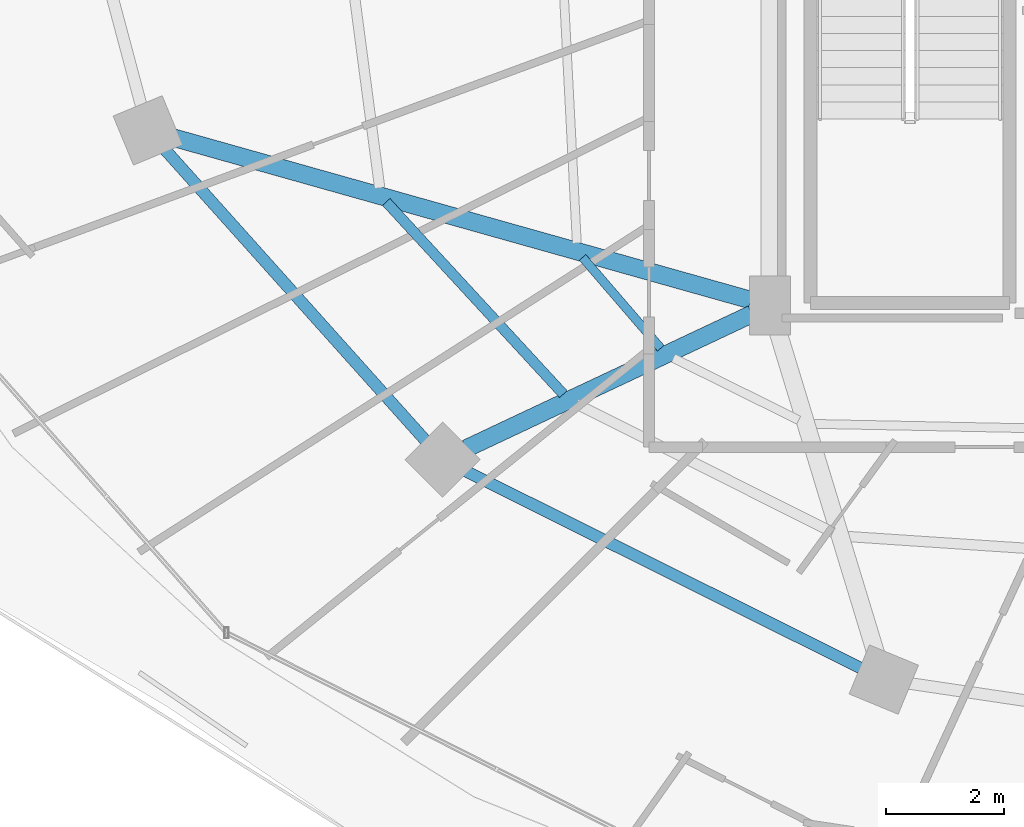
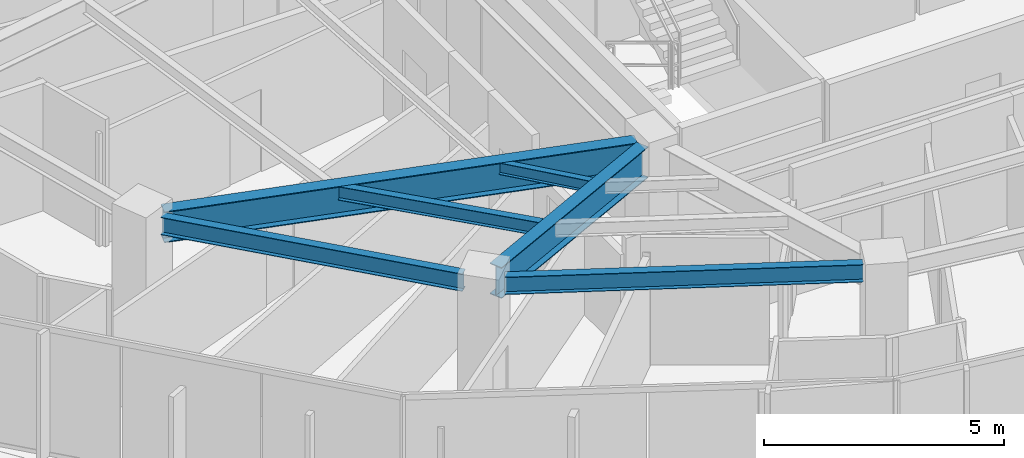
# One storey, part 4 of 34: 6 beams.
"""IFC4 building model written with IfcOpenShell, lengths in metres."""

from ifc_helpers import new_model, si_unit, direction, frame, origin, origin_2d, place, context, subcontext, project, spatial, i_section, extrude, material, material_profile, profile_set, type_object, element, save


model = new_model("IFC4")

# Units and contexts
model_context = context("Model", 3, precision=1e-05, world=origin(), true_north=direction((0.0, 1.0)))
body_context = subcontext(model_context, "Body", "Model", "MODEL_VIEW")
ifc_project = project(units=[si_unit("LENGTHUNIT", "METRE"), si_unit("AREAUNIT", "SQUARE_METRE"), si_unit("VOLUMEUNIT", "CUBIC_METRE"), si_unit("PLANEANGLEUNIT", "RADIAN"), si_unit("MASSUNIT", "GRAM", prefix="KILO")], contexts=[model_context])

# Site, building, storey
site_placement = place(None, origin())
site = spatial("IfcSite", under=ifc_project, at=site_placement, CompositionType="ELEMENT")
building_placement = place(site_placement, origin())
building = spatial("IfcBuilding", under=site, at=building_placement, Name="Vorneva Point Tower", CompositionType="ELEMENT")
storey_placement = place(building_placement, frame((0.0, 0.0, 182.60009765625)))
storey = spatial("IfcBuildingStorey", under=building, at=storey_placement, Name="L49", CompositionType="ELEMENT", Elevation=182.60009765625)

# Beams
ifc_material = material(Name="Steel S355", Category="steel")
ifc_material_profile_1 = material_profile(ifc_material, i_section(OverallWidth=0.300048828125, OverallDepth=0.7880859375, WebThickness=0.014404296875, FlangeThickness=0.02197265625, at=origin_2d()), Name="80Sh1")
ifc_profile_set_1 = profile_set([ifc_material_profile_1], Name="Steel S355")
beam_type_1 = type_object("IfcBeamType", Name="BM-GRD-80Sh1", PredefinedType="USERDEFINED", material=ifc_profile_set_1)
beam_1_placement = place(storey_placement, frame((17.126220703125, 19.299072265625, 2.845947265625), z_axis=(0.962603641144, -0.270913694847, 0.0), x_axis=(0.270913694847, 0.962603641144, 0.0)))
element("IfcBeam", 1, at=beam_1_placement, inside=storey, type_object=beam_type_1, Name="L49 Radial Primary Girder 10", ObjectType="GIRDER", PredefinedType="USERDEFINED", context=body_context, shape_type="SweptSolid", body=[
    extrude(i_section(OverallWidth=0.300048828125, OverallDepth=0.7880859375, WebThickness=0.014404296875, FlangeThickness=0.02197265625, at=origin_2d()), origin(), (0.0, 0.0, 1.0), 10.177001953125),
])
beam_2_placement = place(storey_placement, frame((22.097412109375, 14.0244140625, 2.845947265625), z_axis=(0.904762899762, 0.42591559635, 0.0), x_axis=(-0.42591559635, 0.904762899762, 0.0)))
element("IfcBeam", 2, at=beam_2_placement, inside=storey, type_object=beam_type_1, Name="L49 Radial Primary Girder 11", ObjectType="GIRDER", PredefinedType="USERDEFINED", context=body_context, shape_type="SweptSolid", body=[
    extrude(i_section(OverallWidth=0.300048828125, OverallDepth=0.7880859375, WebThickness=0.014404296875, FlangeThickness=0.02197265625, at=origin_2d()), origin(), (0.0, 0.0, 1.0), 5.35498046875),
])
ifc_material_profile_2 = material_profile(ifc_material, i_section(OverallWidth=0.14892578125, OverallDepth=0.298095703125, WebThickness=0.005615234375, FlangeThickness=0.008056640625, at=origin_2d()), Name="30B1")
ifc_profile_set_2 = profile_set([ifc_material_profile_2], Name="Steel S355")
beam_type_2 = type_object("IfcBeamType", Name="BM-JST-30B1", PredefinedType="JOIST", material=ifc_profile_set_2)
beam_3_placement = place(storey_placement, frame((24.07373046875, 17.2646484375, 3.0908203125), z_axis=(0.652492456858, -0.757795218871, 0.0), x_axis=(0.757795218871, 0.652492456858, 0.0)))
element("IfcBeam", 3, at=beam_3_placement, inside=storey, type_object=beam_type_2, Name="L49 Secondary Floor Beam 2.10", PredefinedType="JOIST", context=body_context, shape_type="SweptSolid", body=[
    extrude(i_section(OverallWidth=0.14892578125, OverallDepth=0.298095703125, WebThickness=0.005615234375, FlangeThickness=0.008056640625, at=origin_2d()), origin(), (0.0, 0.0, 1.0), 2.031005859375),
])
ifc_material_profile_3 = material_profile(ifc_material, i_section(OverallWidth=0.174072265625, OverallDepth=0.345947265625, WebThickness=0.006103515625, FlangeThickness=0.009033203125, at=origin_2d()), Name="35B1")
ifc_profile_set_3 = profile_set([ifc_material_profile_3], Name="Steel S355")
beam_type_3 = type_object("IfcBeamType", Name="BM-SEC-35B1", PredefinedType="BEAM", material=ifc_profile_set_3)
beam_4_placement = place(storey_placement, frame((20.746337890625, 18.205078125, 3.06689453125), z_axis=(0.677611480148, -0.735420071777, 0.0), x_axis=(0.735420071777, 0.677611480148, 0.0)))
element("IfcBeam", 4, at=beam_4_placement, inside=storey, type_object=beam_type_3, Name="L49 Secondary Floor Beam 1.10", PredefinedType="BEAM", context=body_context, shape_type="SweptSolid", body=[
    extrude(i_section(OverallWidth=0.174072265625, OverallDepth=0.345947265625, WebThickness=0.006103515625, FlangeThickness=0.009033203125, at=origin_2d()), origin(), (0.0, 0.0, 1.0), 4.43017578125),
])
ifc_material_profile_4 = material_profile(ifc_material, i_section(OverallWidth=0.198974609375, OverallDepth=0.446044921875, WebThickness=0.008056640625, FlangeThickness=0.011962890625, at=origin_2d()), Name="45B1")
ifc_profile_set_4 = profile_set([ifc_material_profile_4], Name="Steel S355")
beam_type_4 = type_object("IfcBeamType", Name="BM-SPN-45B1", PredefinedType="SPANDREL", material=ifc_profile_set_4)
beam_5_placement = place(storey_placement, frame((16.994873046875, 19.09375, 3.016845703125), z_axis=(0.66706970547, -0.744995307397, 0.0), x_axis=(0.744995307397, 0.66706970547, 0.0)))
element("IfcBeam", 5, at=beam_5_placement, inside=storey, type_object=beam_type_4, Name="L49 Perimeter Spandrel Ring Beam 10", PredefinedType="SPANDREL", context=body_context, shape_type="SweptSolid", body=[
    extrude(i_section(OverallWidth=0.198974609375, OverallDepth=0.446044921875, WebThickness=0.008056640625, FlangeThickness=0.011962890625, at=origin_2d()), origin(), (0.0, 0.0, 1.0), 6.6201171875),
])
beam_6_placement = place(storey_placement, frame((22.090576171875, 13.643798828125, 3.016845703125), z_axis=(0.894922371084, -0.446221861559, 0.0), x_axis=(0.446221861559, 0.894922371084, 0.0)))
element("IfcBeam", 6, at=beam_6_placement, inside=storey, type_object=beam_type_4, Name="L49 Perimeter Spandrel Ring Beam 11", PredefinedType="SPANDREL", context=body_context, shape_type="SweptSolid", body=[
    extrude(i_section(OverallWidth=0.198974609375, OverallDepth=0.446044921875, WebThickness=0.008056640625, FlangeThickness=0.011962890625, at=origin_2d()), origin(), (0.0, 0.0, 1.0), 7.48583984375),
])

save(model, "model.ifc")
